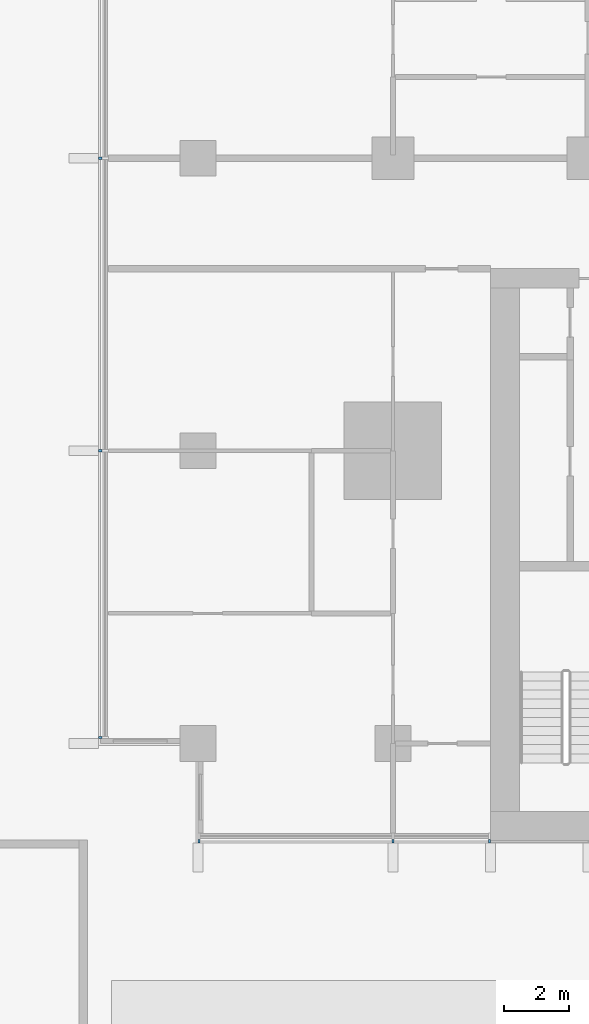
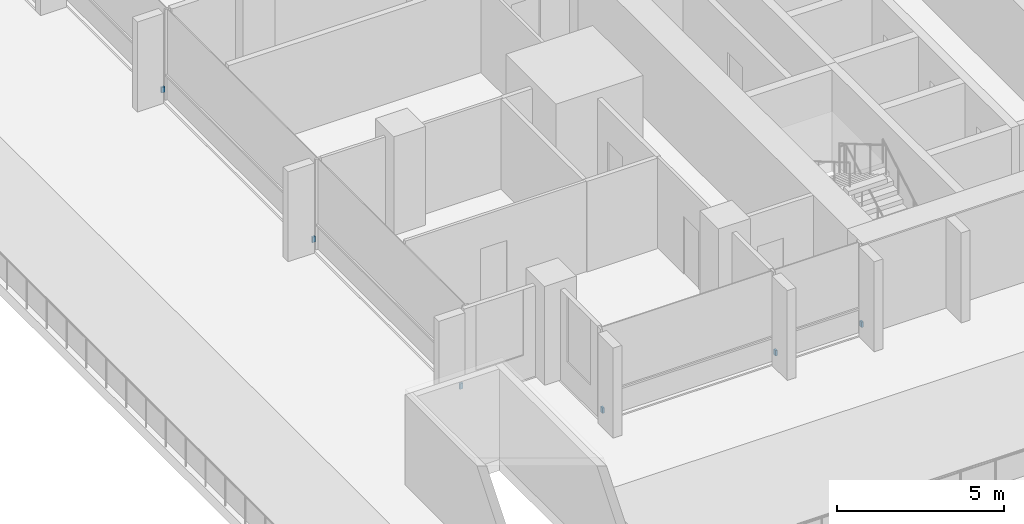
# One storey, part 19 of 25: 6 discrete accessories.
"""IFC4 building model written with IfcOpenShell, lengths in metres."""

import ifcopenshell
import ifcopenshell.guid

model = None  # the IFC model being written
_history = None  # IfcOwnerHistory: only IFC2X3 demands one
_inside = {}  # id of a spatial element -> (the spatial element, [elements in it])
_under = {}  # id of a project, library or spatial element -> (it, [spatial elements below it])
_declared = {}  # id of a project -> (the project, [libraries it declares])
_typed = {}  # id of a type object -> (the type object, [elements of that type])
_made_of = {}  # id of a material, layer set ... -> (it, [elements and type objects made of it])


def new_model(schema):
    """Start an empty IFC model of exactly this schema.

    Asked for "IFC4X3", IfcOpenShell would pick the latest addendum, in which some entities
    have other attributes; the version numbers below select the first issue.
    IFC2X3 requires an IfcOwnerHistory on every rooted entity: one is made here for all.
    """
    global model, _history
    if schema == "IFC4X3":
        model = ifcopenshell.file(schema_version=(4, 3, 0, 0))
    else:
        model = ifcopenshell.file(schema=schema)
    _inside.clear()
    _under.clear()
    _declared.clear()
    _typed.clear()
    _made_of.clear()
    _history = None
    if model.schema == "IFC2X3":
        org = make("IfcOrganization", Name="unknown")
        user = make(
            "IfcPersonAndOrganization",
            ThePerson=make("IfcPerson", FamilyName="unknown"),
            TheOrganization=org,
        )
        app = make(
            "IfcApplication",
            ApplicationDeveloper=org,
            Version="unknown",
            ApplicationFullName="unknown",
            ApplicationIdentifier="unknown",
        )
        _history = make(
            "IfcOwnerHistory",
            OwningUser=user,
            OwningApplication=app,
            ChangeAction="ADDED",
            CreationDate=0,
        )
    return model


def make(cls, **values):
    """One entity of the class cls with the attributes given. An attribute that is None is left unset."""
    return model.create_entity(
        cls, **{name: value for name, value in values.items() if value is not None}
    )


def rooted(cls, **values):
    """An entity with a GlobalId (a new one), such as an element, a storey or a relation."""
    return make(cls, GlobalId=ifcopenshell.guid.new(), OwnerHistory=_history, **values)


def si_unit(unit_type, name, prefix=None):
    """IfcSIUnit, for example si_unit("LENGTHUNIT", "METRE", prefix="MILLI")."""
    return make("IfcSIUnit", UnitType=unit_type, Prefix=prefix, Name=name)


def assignment(units):
    """IfcUnitAssignment: the units of a project."""
    return None if units is None else make("IfcUnitAssignment", Units=units)


def point(xyz):
    """IfcCartesianPoint."""
    return None if xyz is None else make("IfcCartesianPoint", Coordinates=xyz)


def direction(xyz):
    """IfcDirection."""
    return None if xyz is None else make("IfcDirection", DirectionRatios=xyz)


def frame(location, z_axis=None, x_axis=None):
    """IfcAxis2Placement3D, a coordinate frame: its origin and axes. An axis left out is left unset."""
    return make(
        "IfcAxis2Placement3D",
        Location=point(location),
        Axis=direction(z_axis),
        RefDirection=direction(x_axis),
    )


def frame_2d(location, x_axis=None):
    """IfcAxis2Placement2D, a coordinate frame in the plane: its origin and x axis."""
    return make(
        "IfcAxis2Placement2D", Location=point(location), RefDirection=direction(x_axis)
    )


def origin():
    """The frame at (0, 0, 0) with its axes left unset."""
    return frame((0.0, 0.0, 0.0))


def origin_2d():
    """The frame at (0, 0) in the plane with its x axis left unset."""
    return frame_2d((0.0, 0.0))


def place(relative_to, where):
    """IfcLocalPlacement: puts the frame where relative to a parent placement (None: the world)."""
    return make(
        "IfcLocalPlacement", PlacementRelTo=relative_to, RelativePlacement=where
    )


def context(
    kind, dimensions, precision=None, world=None, true_north=None, identifier=None
):
    """IfcGeometricRepresentationContext, for example the 3D "Model" context."""
    return make(
        "IfcGeometricRepresentationContext",
        ContextIdentifier=identifier,
        ContextType=kind,
        CoordinateSpaceDimension=dimensions,
        Precision=precision,
        WorldCoordinateSystem=world,
        TrueNorth=true_north,
    )


def subcontext(parent, identifier, kind, view, scale=None):
    """IfcGeometricRepresentationSubContext, for example "Body" below "Model"."""
    return make(
        "IfcGeometricRepresentationSubContext",
        ContextIdentifier=identifier,
        ContextType=kind,
        ParentContext=parent,
        TargetScale=scale,
        TargetView=view,
    )


def project(units=None, contexts=None):
    """IfcProject with its units and contexts."""
    return rooted(
        "IfcProject",
        Name="project",
        RepresentationContexts=contexts,
        UnitsInContext=assignment(units),
    )


def spatial(cls, under=None, at=None, **own):
    """A site, building, storey or space (cls), placed at a placement, below another one or the project."""
    s = rooted(cls, ObjectPlacement=at, **own)
    if under is not None:
        _under.setdefault(under.id(), (under, []))[1].append(s)
    return s


def profile(cls, at=None, kind="AREA", **sizes):
    """A parametric profile (cls). Its sizes go by their IFC names, for example OverallWidth=200.0."""
    return make(cls, ProfileType=kind, Position=at, **sizes)


def rectangle(**sizes):
    """IfcRectangleProfileDef."""
    return profile("IfcRectangleProfileDef", **sizes)


def extrude(swept, where, along, depth):
    """IfcExtrudedAreaSolid: the profile swept, set in the frame where, extruded along a direction by depth."""
    return make(
        "IfcExtrudedAreaSolid",
        SweptArea=swept,
        Position=where,
        ExtrudedDirection=direction(along),
        Depth=depth,
    )


def shape(context_of_items, identifier, shape_type, items):
    """IfcShapeRepresentation: the items that make up one representation, for example the "Body"."""
    return make(
        "IfcShapeRepresentation",
        ContextOfItems=context_of_items,
        RepresentationIdentifier=identifier,
        RepresentationType=shape_type,
        Items=items,
    )


def material(Name=None, Category=None):
    """IfcMaterial."""
    return make("IfcMaterial", Name=Name, Category=Category)


def made_of(thing, what):
    """Note that an element or type object is made of a material, layer set ...; save() writes the relation."""
    if what is not None:
        _made_of.setdefault(what.id(), (what, []))[1].append(thing)
    return thing


def type_object(cls, material=None, **own):
    """A type object (cls), such as IfcWallType, which elements share."""
    return made_of(rooted(cls, **own), material)


def element(
    cls,
    number,
    at=None,
    inside=None,
    cuts=None,
    type_object=None,
    material=None,
    context=None,
    identifier="Body",
    shape_type=None,
    held_by="IfcProductDefinitionShape",
    body=None,
    shapes=None,
    **own,
):
    """One element of the class cls, such as IfcWall. Its Tag is "e" and its number.

    at: its placement. inside: the storey or other place that contains it. cuts: it is an
    opening in that element (IfcRelVoidsElement). A single representation is given by context,
    identifier, shape_type and body (its items); several are given by shapes. held_by: the class
    of the entity that holds the representations. save() writes the other relations.
    """
    e = rooted(cls, Tag="e%d" % number, ObjectPlacement=at, **own)
    if body is not None:
        shapes = [shape(context, identifier, shape_type, body)]
    if shapes is not None:
        e.Representation = make(held_by, Representations=shapes)
    if inside is not None:
        _inside.setdefault(inside.id(), (inside, []))[1].append(e)
    if cuts is not None:
        rooted(
            "IfcRelVoidsElement", RelatingBuildingElement=cuts, RelatedOpeningElement=e
        )
    if type_object is not None:
        _typed.setdefault(type_object.id(), (type_object, []))[1].append(e)
    return made_of(e, material)


def aggregate(whole, parts):
    """IfcRelAggregates: a whole, such as a stair, and the parts it consists of."""
    return rooted("IfcRelAggregates", RelatingObject=whole, RelatedObjects=parts)


def save(model, path):
    """Write the relations noted so far, then the file.

    IfcRelAggregates (storeys below a building ...), IfcRelContainedInSpatialStructure (elements
    in a storey), IfcRelDefinesByType, IfcRelAssociatesMaterial and IfcRelDeclares: one each for
    every whole, place, type object, material and project.
    """
    for whole, parts in _under.values():
        aggregate(whole, parts)
    for where, things in _inside.values():
        rooted(
            "IfcRelContainedInSpatialStructure",
            RelatedElements=things,
            RelatingStructure=where,
        )
    for kind, things in _typed.values():
        rooted("IfcRelDefinesByType", RelatedObjects=things, RelatingType=kind)
    for what, things in _made_of.values():
        rooted("IfcRelAssociatesMaterial", RelatedObjects=things, RelatingMaterial=what)
    for by, libraries in _declared.values():
        rooted("IfcRelDeclares", RelatingContext=by, RelatedDefinitions=libraries)
    model.write(path)


model = new_model("IFC4")

# Units and contexts
model_context = context("Model", 3, precision=1e-05, world=origin(), true_north=direction((0.0, 1.0)))
body_context = subcontext(model_context, "Body", "Model", "MODEL_VIEW")
ifc_project = project(units=[si_unit("LENGTHUNIT", "METRE"), si_unit("AREAUNIT", "SQUARE_METRE"), si_unit("VOLUMEUNIT", "CUBIC_METRE"), si_unit("PLANEANGLEUNIT", "RADIAN"), si_unit("MASSUNIT", "GRAM", prefix="KILO")], contexts=[model_context])

# Site, building, storey
site_placement = place(None, origin())
site = spatial("IfcSite", under=ifc_project, at=site_placement, CompositionType="ELEMENT")
building_placement = place(site_placement, origin())
building = spatial("IfcBuilding", under=site, at=building_placement, Name="Finial Court Residences", CompositionType="ELEMENT")
storey_placement = place(building_placement, frame((0.0, 0.0, 32.5)))
storey = spatial("IfcBuildingStorey", under=building, at=storey_placement, Name="L06", CompositionType="ELEMENT", Elevation=32.5)

# Discrete accessories
ifc_material = material(Name="Stainless steel 316", Category="steel")
discrete_accessory_type = type_object("IfcDiscreteAccessoryType", Name="Fin bracket, stainless steel 65 x 110 x 200", PredefinedType="BRACKET", material=ifc_material)
for number, where, z_axis, x_axis, name in (
    (1, (-22.467529296875, -25.5048828125, 0.2998046875), (0.0, 0.0, 1.0), (1.0, 0.0, 0.0), "E-L06-FIN-S17-BRK"),
    (2, (-16.5, -25.5048828125, 0.2998046875), (0.0, 0.0, 1.0), (1.0, 0.0, 0.0), "E-L06-FIN-S18-BRK"),
    (3, (-13.532470703125, -25.5048828125, 0.2998046875), (0.0, 0.0, 1.0), (1.0, 0.0, 0.0), "E-L06-FIN-S19-BRK"),
):
    element("IfcDiscreteAccessory", number, at=place(storey_placement, frame(where, z_axis=z_axis, x_axis=x_axis)), inside=storey, type_object=discrete_accessory_type, Name=name, PredefinedType="BRACKET", context=body_context, shape_type="SweptSolid", body=[
        extrude(rectangle(XDim=0.06494140625, YDim=0.110107421875, at=origin_2d()), origin(), (0.0, 0.0, 1.0), 0.199951171875),
    ])
for number, where, z_axis, x_axis, name in (
    (4, (-25.5048828125, -22.3173828125, 0.2998046875), (0.0, 0.0, 1.0), (1.0, 0.0, 0.0), "E-L06-FIN-W27-BRK"),
    (5, (-25.5048828125, -13.5, 0.2998046875), (0.0, 0.0, 1.0), (1.0, 0.0, 0.0), "E-L06-FIN-W28-BRK"),
    (6, (-25.5048828125, -4.5, 0.2998046875), (0.0, 0.0, 1.0), (1.0, 0.0, 0.0), "E-L06-FIN-W29-BRK"),
):
    element("IfcDiscreteAccessory", number, at=place(storey_placement, frame(where, z_axis=z_axis, x_axis=x_axis)), inside=storey, type_object=discrete_accessory_type, Name=name, PredefinedType="BRACKET", context=body_context, shape_type="SweptSolid", body=[
        extrude(rectangle(XDim=0.110107421875, YDim=0.06494140625, at=origin_2d()), origin(), (0.0, 0.0, 1.0), 0.199951171875),
    ])

save(model, "model.ifc")
